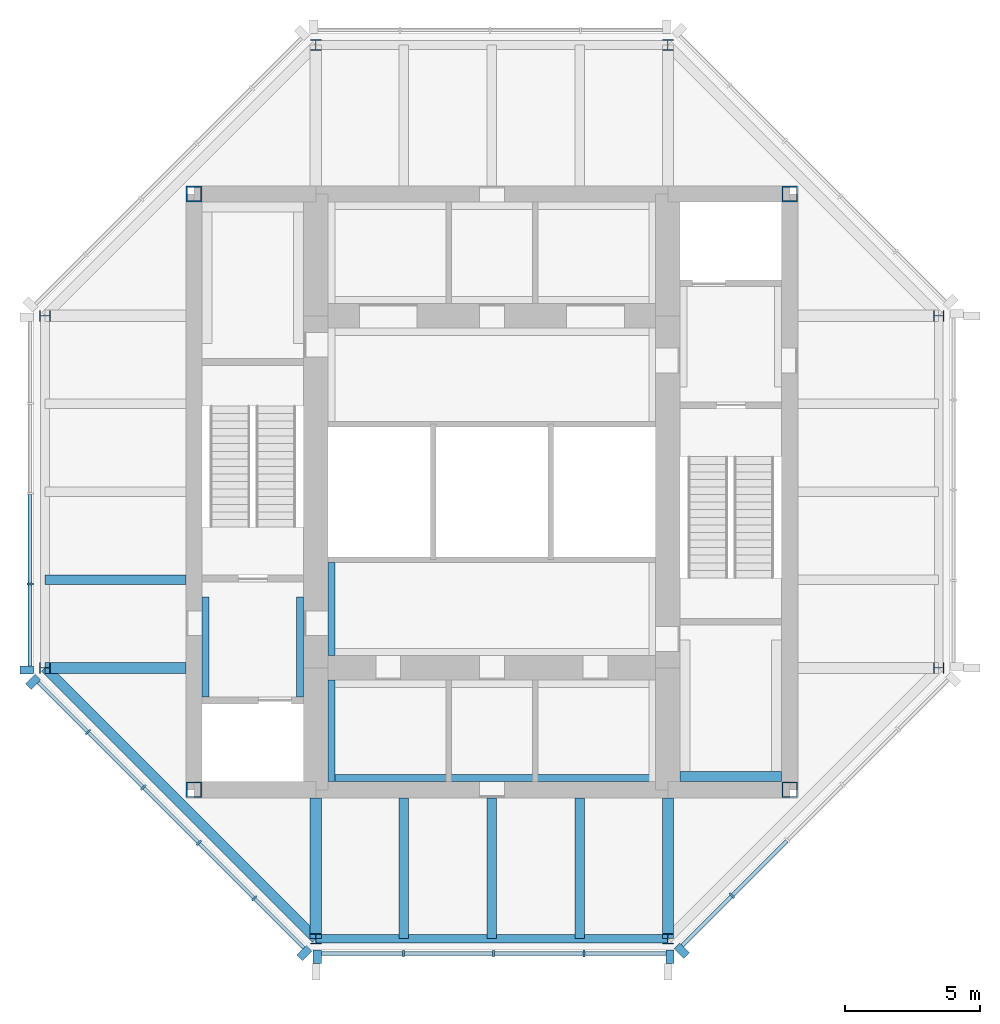
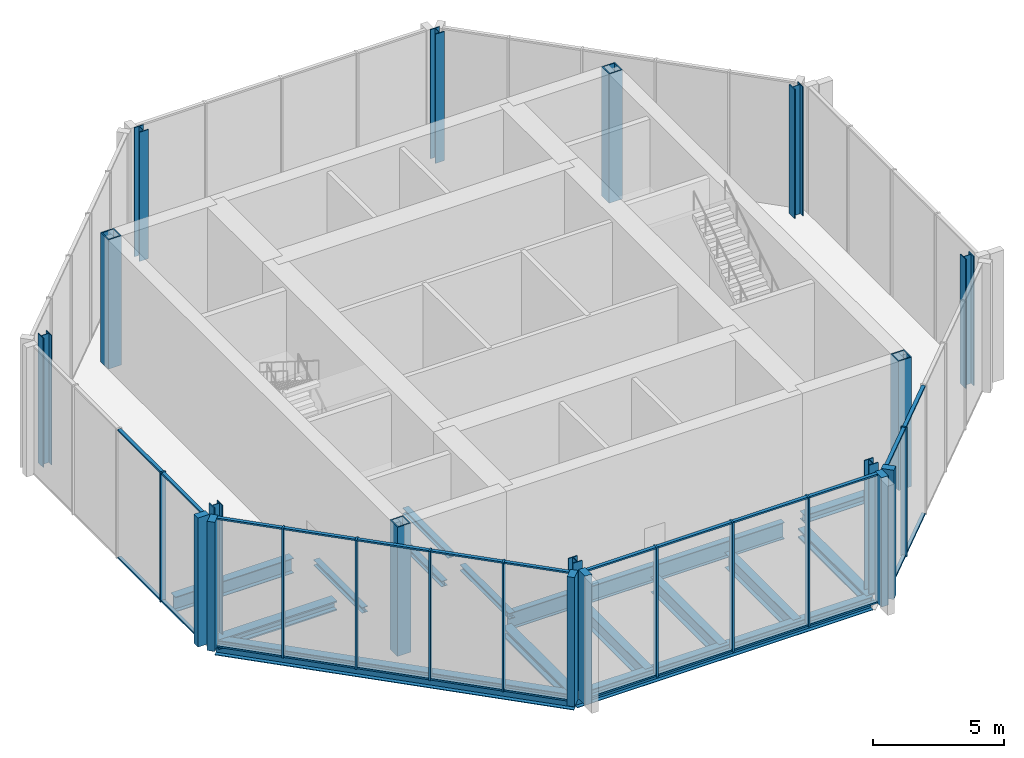
# One storey, part 1 of 6: 41 members, 15 beams, 12 columns, 4 elements without a shape of their own.
"""IFC4 building model written with IfcOpenShell, lengths in metres."""

from ifc_helpers import new_model, si_unit, direction, frame, origin, origin_2d, place, context, subcontext, project, spatial, rectangle, hollow_rectangle, i_section, extrude, material, material_profile, profile_set, type_object, element, aggregate, save


model = new_model("IFC4")

# Units and contexts
model_context = context("Model", 3, precision=1e-05, world=origin(), true_north=direction((0.0, 1.0)))
body_context = subcontext(model_context, "Body", "Model", "MODEL_VIEW")
ifc_project = project(units=[si_unit("LENGTHUNIT", "METRE"), si_unit("AREAUNIT", "SQUARE_METRE"), si_unit("VOLUMEUNIT", "CUBIC_METRE"), si_unit("PLANEANGLEUNIT", "RADIAN"), si_unit("MASSUNIT", "GRAM", prefix="KILO")], contexts=[model_context])

# Site, building, storey
site_placement = place(None, origin())
site = spatial("IfcSite", under=ifc_project, at=site_placement, CompositionType="ELEMENT")
building_placement = place(site_placement, origin())
building = spatial("IfcBuilding", under=site, at=building_placement, Name="Trevanion Tower", CompositionType="ELEMENT")
storey_placement = place(building_placement, frame((0.0, 0.0, 304.199951171875)))
storey = spatial("IfcBuildingStorey", under=building, at=storey_placement, Name="L75", CompositionType="ELEMENT", Elevation=304.199951171875)

# Columns
ifc_material_1 = material(Name="Steel ASTM A913 Grade 65", Category="steel")
ifc_material_profile_1 = material_profile(ifc_material_1, i_section(OverallWidth=0.4013671875, OverallDepth=0.398681640625, WebThickness=0.02490234375, FlangeThickness=0.03955078125, at=origin_2d()), Name="W14X211")
ifc_profile_set_1 = profile_set([ifc_material_profile_1], Name="Steel ASTM A913 Grade 65")
column_type_1 = type_object("IfcColumnType", Name="C6 W14X211", PredefinedType="COLUMN", material=ifc_profile_set_1)
for number, where, z_axis, x_axis, name in (
    (1, (-16.5, -6.5, 0.0), (0.0, 0.0, 1.0), (0.0, 1.0, 0.0), "C6 7/G L75"),
    (2, (-6.5, -16.5, 0.0), (0.0, 0.0, 1.0), (1.0, 0.0, 0.0), "C6 9/E L75"),
    (3, (6.5, -16.5, 0.0), (0.0, 0.0, 1.0), (1.0, 0.0, 0.0), "C6 11/E L75"),
    (4, (16.5, -6.5, 0.0), (0.0, 0.0, 1.0), (0.0, 1.0, 0.0), "C6 13/G L75"),
    (5, (16.5, 6.5, 0.0), (0.0, 0.0, 1.0), (0.0, 1.0, 0.0), "C6 13/J L75"),
    (6, (6.5, 16.5, 0.0), (0.0, 0.0, 1.0), (1.0, 0.0, 0.0), "C6 11/L L75"),
    (7, (-6.5, 16.5, 0.0), (0.0, 0.0, 1.0), (1.0, 0.0, 0.0), "C6 9/L L75"),
    (8, (-16.5, 6.5, 0.0), (0.0, 0.0, 1.0), (0.0, 1.0, 0.0), "C6 7/J L75"),
):
    element("IfcColumn", number, at=place(storey_placement, frame(where, z_axis=z_axis, x_axis=x_axis)), inside=storey, type_object=column_type_1, Name=name, PredefinedType="COLUMN", context=body_context, shape_type="SweptSolid", body=[
        extrude(i_section(OverallWidth=0.4013671875, OverallDepth=0.398681640625, WebThickness=0.02490234375, FlangeThickness=0.03955078125, at=origin_2d()), origin(), (0.0, 0.0, 1.0), 6.0),
    ])
ifc_material_2 = material(Name="Steel ASTM A572 Grade 50", Category="steel")
ifc_material_profile_2 = material_profile(ifc_material_2, hollow_rectangle(XDim=0.584228515625, YDim=0.584228515625, WallThickness=0.05078125, at=origin_2d()), Name="BOX23X23X2")
ifc_profile_set_2 = profile_set([ifc_material_profile_2], Name="Steel ASTM A572 Grade 50")
column_type_2 = type_object("IfcColumnType", Name="CB1 BOX23X23X2", PredefinedType="COLUMN", material=ifc_profile_set_2)
for number, where, z_axis, x_axis, name in (
    (9, (11.0, 11.0, 0.0), (0.0, 0.0, 1.0), (1.0, 0.0, 0.0), "CB1 NE L75"),
    (10, (-11.0, 11.0, 0.0), (0.0, 0.0, 1.0), (1.0, 0.0, 0.0), "CB1 NW L75"),
    (11, (-11.0, -11.0, 0.0), (0.0, 0.0, 1.0), (1.0, 0.0, 0.0), "CB1 SW L75"),
    (12, (11.0, -11.0, 0.0), (0.0, 0.0, 1.0), (1.0, 0.0, 0.0), "CB1 SE L75"),
):
    element("IfcColumn", number, at=place(storey_placement, frame(where, z_axis=z_axis, x_axis=x_axis)), inside=storey, type_object=column_type_2, Name=name, PredefinedType="COLUMN", context=body_context, shape_type="SweptSolid", body=[
        extrude(hollow_rectangle(XDim=0.584228515625, YDim=0.584228515625, WallThickness=0.05078125, at=origin_2d()), origin(), (0.0, 0.0, 1.0), 6.0),
    ])

# Beams
ifc_material_3 = material(Name="Steel ASTM A992 Grade 50", Category="steel")
ifc_material_profile_3 = material_profile(ifc_material_3, i_section(OverallWidth=0.355712890625, OverallDepth=0.700927734375, WebThickness=0.016845703125, FlangeThickness=0.02734375, at=origin_2d()), Name="W27X161")
ifc_profile_set_3 = profile_set([ifc_material_profile_3], Name="Steel ASTM A992 Grade 50")
beam_type_1 = type_object("IfcBeamType", Name="B15 W27X161", PredefinedType="BEAM", material=ifc_profile_set_3)
for number, where, z_axis, x_axis, name in (
    (13, (-11.300048828125, -3.25, -0.54052734375), (-1.0, 0.0, 0.0), (0.0, -1.0, 0.0), "B15 L75"),
    (14, (-3.25, -11.300048828125, -0.54052734375), (0.0, -1.0, 0.0), (1.0, 0.0, 0.0), "B15 L75"),
    (15, (0.0, -11.300048828125, -0.54052734375), (0.0, -1.0, 0.0), (1.0, 0.0, 0.0), "B15 L75"),
    (16, (3.25, -11.300048828125, -0.54052734375), (0.0, -1.0, 0.0), (1.0, 0.0, 0.0), "B15 L75"),
):
    element("IfcBeam", number, at=place(storey_placement, frame(where, z_axis=z_axis, x_axis=x_axis)), inside=storey, type_object=beam_type_1, Name=name, PredefinedType="BEAM", context=body_context, shape_type="SweptSolid", body=[
        extrude(i_section(OverallWidth=0.355712890625, OverallDepth=0.700927734375, WebThickness=0.016845703125, FlangeThickness=0.02734375, at=origin_2d()), origin(), (0.0, 0.0, 1.0), 5.199951171875),
    ])

# Curtain wall, member
ifc_material_4 = material(Name="Aluminium louvres", Category="aluminium")
curtain_wall_type = type_object("IfcCurtainWallType", Name="CWL curtain wall", PredefinedType="USERDEFINED", material=ifc_material_4)
curtain_wall_1_placement = place(storey_placement, origin())
curtain_wall_1 = element("IfcCurtainWall", 17, at=curtain_wall_1_placement, inside=storey, type_object=curtain_wall_type, Name="CWL L75 4", ObjectType="LOUVRE SCREEN", PredefinedType="USERDEFINED")
ifc_material_5 = material(Name="Aluminium extrusion, anodised bronze", Category="aluminium")
ifc_material_profile_4 = material_profile(ifc_material_5, rectangle(XDim=0.074951171875, YDim=0.25, at=origin_2d()), Name="CWL mullion")
ifc_profile_set_4 = profile_set([ifc_material_profile_4], Name="Aluminium extrusion, anodised bronze")
member_type_1 = type_object("IfcMemberType", Name="CWL mullion", PredefinedType="MULLION", material=ifc_profile_set_4)
member_1_placement = place(storey_placement, frame((-17.050048828125, -3.396484375, -0.18994140625), z_axis=(0.0, 0.0, 1.0), x_axis=(0.0, -1.0, 0.0)))
member_1 = element("IfcMember", 18, at=member_1_placement, type_object=member_type_1, Name="CWL mullion 4", PredefinedType="MULLION", context=body_context, shape_type="SweptSolid", body=[
    extrude(rectangle(XDim=0.074951171875, YDim=0.25, at=origin_2d()), origin(), (0.0, 0.0, 1.0), 6.0),
])

# Curtain wall, members
curtain_wall_2_placement = place(storey_placement, origin())
curtain_wall_2 = element("IfcCurtainWall", 19, at=curtain_wall_2_placement, inside=storey, type_object=curtain_wall_type, Name="CWL L75 5", ObjectType="LOUVRE SCREEN", PredefinedType="USERDEFINED")
member_2_placement = place(storey_placement, frame((-14.912109375, -8.86572265625, -0.18994140625), z_axis=(0.0, 0.0, 1.0), x_axis=(0.707106781187, -0.707106781187, 0.0)))
member_2 = element("IfcMember", 20, at=member_2_placement, type_object=member_type_1, Name="CWL mullion 2", PredefinedType="MULLION", context=body_context, shape_type="SweptSolid", body=[
    extrude(rectangle(XDim=0.074951171875, YDim=0.25, at=origin_2d()), origin(), (0.0, 0.0, 1.0), 6.0),
])
member_3_placement = place(storey_placement, frame((-12.865966796875, -10.911865234375, -0.18994140625), z_axis=(0.0, 0.0, 1.0), x_axis=(0.707106781187, -0.707106781187, 0.0)))
member_3 = element("IfcMember", 21, at=member_3_placement, type_object=member_type_1, Name="CWL mullion 3", PredefinedType="MULLION", context=body_context, shape_type="SweptSolid", body=[
    extrude(rectangle(XDim=0.074951171875, YDim=0.25, at=origin_2d()), origin(), (0.0, 0.0, 1.0), 6.0),
])
member_4_placement = place(storey_placement, frame((-10.81982421875, -12.9580078125, -0.18994140625), z_axis=(0.0, 0.0, 1.0), x_axis=(0.707106781187, -0.707106781187, 0.0)))
member_4 = element("IfcMember", 22, at=member_4_placement, type_object=member_type_1, Name="CWL mullion 4", PredefinedType="MULLION", context=body_context, shape_type="SweptSolid", body=[
    extrude(rectangle(XDim=0.074951171875, YDim=0.25, at=origin_2d()), origin(), (0.0, 0.0, 1.0), 6.0),
])
member_5_placement = place(storey_placement, frame((-8.77392578125, -15.00390625, -0.18994140625), z_axis=(0.0, 0.0, 1.0), x_axis=(0.707106781187, -0.707106781187, 0.0)))
member_5 = element("IfcMember", 23, at=member_5_placement, type_object=member_type_1, Name="CWL mullion 5", PredefinedType="MULLION", context=body_context, shape_type="SweptSolid", body=[
    extrude(rectangle(XDim=0.074951171875, YDim=0.25, at=origin_2d()), origin(), (0.0, 0.0, 1.0), 6.0),
])

curtain_wall_3_placement = place(storey_placement, origin())
curtain_wall_3 = element("IfcCurtainWall", 24, at=curtain_wall_3_placement, inside=storey, type_object=curtain_wall_type, Name="CWL L75 6", ObjectType="LOUVRE SCREEN", PredefinedType="USERDEFINED")
member_6_placement = place(storey_placement, frame((-3.266357421875, -17.050048828125, -0.18994140625), z_axis=(0.0, 0.0, 1.0), x_axis=(1.0, 0.0, 0.0)))
member_6 = element("IfcMember", 25, at=member_6_placement, type_object=member_type_1, Name="CWL mullion 2", PredefinedType="MULLION", context=body_context, shape_type="SweptSolid", body=[
    extrude(rectangle(XDim=0.074951171875, YDim=0.25, at=origin_2d()), origin(), (0.0, 0.0, 1.0), 6.0),
])
member_7_placement = place(storey_placement, frame((0.06494140625, -17.050048828125, -0.18994140625), z_axis=(0.0, 0.0, 1.0), x_axis=(1.0, 0.0, 0.0)))
member_7 = element("IfcMember", 26, at=member_7_placement, type_object=member_type_1, Name="CWL mullion 3", PredefinedType="MULLION", context=body_context, shape_type="SweptSolid", body=[
    extrude(rectangle(XDim=0.074951171875, YDim=0.25, at=origin_2d()), origin(), (0.0, 0.0, 1.0), 6.0),
])
member_8_placement = place(storey_placement, frame((3.396484375, -17.050048828125, -0.18994140625), z_axis=(0.0, 0.0, 1.0), x_axis=(1.0, 0.0, 0.0)))
member_8 = element("IfcMember", 27, at=member_8_placement, type_object=member_type_1, Name="CWL mullion 4", PredefinedType="MULLION", context=body_context, shape_type="SweptSolid", body=[
    extrude(rectangle(XDim=0.074951171875, YDim=0.25, at=origin_2d()), origin(), (0.0, 0.0, 1.0), 6.0),
])

# Curtain wall, member
curtain_wall_4_placement = place(storey_placement, origin())
curtain_wall_4 = element("IfcCurtainWall", 28, at=curtain_wall_4_placement, inside=storey, type_object=curtain_wall_type, Name="CWL L75 7", ObjectType="LOUVRE SCREEN", PredefinedType="USERDEFINED")
member_9_placement = place(storey_placement, frame((8.86572265625, -14.912109375, -0.18994140625), z_axis=(0.0, 0.0, 1.0), x_axis=(0.707106781187, 0.707106781187, 0.0)))
member_9 = element("IfcMember", 29, at=member_9_placement, type_object=member_type_1, Name="CWL mullion 2", PredefinedType="MULLION", context=body_context, shape_type="SweptSolid", body=[
    extrude(rectangle(XDim=0.074951171875, YDim=0.25, at=origin_2d()), origin(), (0.0, 0.0, 1.0), 6.0),
])

# Member
ifc_material_6 = material(Name="Aluminium extrusion, anodised bronze", Category="aluminium")
ifc_material_profile_5 = material_profile(ifc_material_6, rectangle(XDim=0.300048828125, YDim=0.5, at=origin_2d()), Name="CWL pier mullion")
ifc_profile_set_5 = profile_set([ifc_material_profile_5], Name="Aluminium extrusion, anodised bronze")
member_type_2 = type_object("IfcMemberType", Name="CWL pier mullion", PredefinedType="MULLION", material=ifc_profile_set_5)
member_10_placement = place(storey_placement, frame((-17.175048828125, -6.577880859375, -0.18994140625), z_axis=(0.0, 0.0, 1.0), x_axis=(0.0, -1.0, 0.0)))
member_10 = element("IfcMember", 30, at=member_10_placement, type_object=member_type_2, Name="CWL pier mullion 5", PredefinedType="MULLION", context=body_context, shape_type="SweptSolid", body=[
    extrude(rectangle(XDim=0.300048828125, YDim=0.5, at=origin_2d()), origin(), (0.0, 0.0, 1.0), 6.0),
])

member_11_placement = place(storey_placement, frame((-16.9404296875, -7.01416015625, -0.18994140625), z_axis=(0.0, 0.0, 1.0), x_axis=(0.707106781187, -0.707106781187, 0.0)))
member_11 = element("IfcMember", 31, at=member_11_placement, type_object=member_type_2, Name="CWL pier mullion 1", PredefinedType="MULLION", context=body_context, shape_type="SweptSolid", body=[
    extrude(rectangle(XDim=0.300048828125, YDim=0.5, at=origin_2d()), origin(), (0.0, 0.0, 1.0), 6.0),
])

member_12_placement = place(storey_placement, frame((-6.92236328125, -17.0322265625, -0.18994140625), z_axis=(0.0, 0.0, 1.0), x_axis=(0.707106781187, -0.707106781187, 0.0)))
member_12 = element("IfcMember", 32, at=member_12_placement, type_object=member_type_2, Name="CWL pier mullion 6", PredefinedType="MULLION", context=body_context, shape_type="SweptSolid", body=[
    extrude(rectangle(XDim=0.300048828125, YDim=0.5, at=origin_2d()), origin(), (0.0, 0.0, 1.0), 6.0),
])

member_13_placement = place(storey_placement, frame((-6.44775390625, -17.175048828125, -0.18994140625), z_axis=(0.0, 0.0, 1.0), x_axis=(1.0, 0.0, 0.0)))
member_13 = element("IfcMember", 33, at=member_13_placement, type_object=member_type_2, Name="CWL pier mullion 1", PredefinedType="MULLION", context=body_context, shape_type="SweptSolid", body=[
    extrude(rectangle(XDim=0.300048828125, YDim=0.5, at=origin_2d()), origin(), (0.0, 0.0, 1.0), 6.0),
])

member_14_placement = place(storey_placement, frame((6.577880859375, -17.175048828125, -0.18994140625), z_axis=(0.0, 0.0, 1.0), x_axis=(1.0, 0.0, 0.0)))
member_14 = element("IfcMember", 34, at=member_14_placement, type_object=member_type_2, Name="CWL pier mullion 5", PredefinedType="MULLION", context=body_context, shape_type="SweptSolid", body=[
    extrude(rectangle(XDim=0.300048828125, YDim=0.5, at=origin_2d()), origin(), (0.0, 0.0, 1.0), 6.0),
])

member_15_placement = place(storey_placement, frame((7.01416015625, -16.9404296875, -0.18994140625), z_axis=(0.0, 0.0, 1.0), x_axis=(0.707106781187, 0.707106781187, 0.0)))
member_15 = element("IfcMember", 35, at=member_15_placement, type_object=member_type_2, Name="CWL pier mullion 1", PredefinedType="MULLION", context=body_context, shape_type="SweptSolid", body=[
    extrude(rectangle(XDim=0.300048828125, YDim=0.5, at=origin_2d()), origin(), (0.0, 0.0, 1.0), 6.0),
])

ifc_material_7 = material(Name="Aluminium extrusion, anodised bronze", Category="aluminium")
ifc_material_profile_6 = material_profile(ifc_material_7, rectangle(XDim=0.14990234375, YDim=0.074951171875, at=origin_2d()), Name="CWL transom")
ifc_profile_set_6 = profile_set([ifc_material_profile_6], Name="Aluminium extrusion, anodised bronze")
member_type_3 = type_object("IfcMemberType", Name="CWL transom", PredefinedType="USERDEFINED", material=ifc_profile_set_6)
member_16_placement = place(storey_placement, frame((-17.050048828125, -0.1025390625, -0.15234375), z_axis=(0.0, -1.0, 0.0), x_axis=(1.0, 0.0, 0.0)))
member_16 = element("IfcMember", 36, at=member_16_placement, type_object=member_type_3, Name="CWL transom 3.1", ObjectType="TRANSOM", PredefinedType="USERDEFINED", context=body_context, shape_type="SweptSolid", body=[
    extrude(rectangle(XDim=0.14990234375, YDim=0.074951171875, at=origin_2d()), origin(), (0.0, 0.0, 1.0), 3.25634765625),
])

member_17_placement = place(storey_placement, frame((-17.050048828125, -0.1025390625, 5.7724609375), z_axis=(0.0, -1.0, 0.0), x_axis=(1.0, 0.0, 0.0)))
member_17 = element("IfcMember", 37, at=member_17_placement, type_object=member_type_3, Name="CWL transom 3.2", ObjectType="TRANSOM", PredefinedType="USERDEFINED", context=body_context, shape_type="SweptSolid", body=[
    extrude(rectangle(XDim=0.14990234375, YDim=0.074951171875, at=origin_2d()), origin(), (0.0, 0.0, 1.0), 3.25634765625),
])

member_18_placement = place(storey_placement, frame((-17.050048828125, -3.433837890625, -0.15234375), z_axis=(0.0, -1.0, 0.0), x_axis=(1.0, 0.0, 0.0)))
member_18 = element("IfcMember", 38, at=member_18_placement, type_object=member_type_3, Name="CWL transom 4.1", ObjectType="TRANSOM", PredefinedType="USERDEFINED", context=body_context, shape_type="SweptSolid", body=[
    extrude(rectangle(XDim=0.14990234375, YDim=0.074951171875, at=origin_2d()), origin(), (0.0, 0.0, 1.0), 2.993896484375),
])

member_19_placement = place(storey_placement, frame((-17.050048828125, -3.433837890625, 5.7724609375), z_axis=(0.0, -1.0, 0.0), x_axis=(1.0, 0.0, 0.0)))
member_19 = element("IfcMember", 39, at=member_19_placement, type_object=member_type_3, Name="CWL transom 4.2", ObjectType="TRANSOM", PredefinedType="USERDEFINED", context=body_context, shape_type="SweptSolid", body=[
    extrude(rectangle(XDim=0.14990234375, YDim=0.074951171875, at=origin_2d()), origin(), (0.0, 0.0, 1.0), 2.993896484375),
])

aggregate(curtain_wall_1, [member_1, member_10, member_16, member_17, member_18, member_19])

member_20_placement = place(storey_placement, frame((-16.745849609375, -7.031982421875, -0.15234375), z_axis=(0.707106781187, -0.707106781187, 0.0), x_axis=(0.707106781187, 0.707106781187, 0.0)))
member_20 = element("IfcMember", 40, at=member_20_placement, type_object=member_type_3, Name="CWL transom 1.1", ObjectType="TRANSOM", PredefinedType="USERDEFINED", context=body_context, shape_type="SweptSolid", body=[
    extrude(rectangle(XDim=0.14990234375, YDim=0.074951171875, at=origin_2d()), origin(), (0.0, 0.0, 1.0), 2.555908203125),
])

member_21_placement = place(storey_placement, frame((-16.745849609375, -7.031982421875, 5.7724609375), z_axis=(0.707106781187, -0.707106781187, 0.0), x_axis=(0.707106781187, 0.707106781187, 0.0)))
member_21 = element("IfcMember", 41, at=member_21_placement, type_object=member_type_3, Name="CWL transom 1.2", ObjectType="TRANSOM", PredefinedType="USERDEFINED", context=body_context, shape_type="SweptSolid", body=[
    extrude(rectangle(XDim=0.14990234375, YDim=0.074951171875, at=origin_2d()), origin(), (0.0, 0.0, 1.0), 2.555908203125),
])

member_22_placement = place(storey_placement, frame((-14.885498046875, -8.892333984375, -0.15234375), z_axis=(0.707106781187, -0.707106781187, 0.0), x_axis=(0.707106781187, 0.707106781187, 0.0)))
member_22 = element("IfcMember", 42, at=member_22_placement, type_object=member_type_3, Name="CWL transom 2.1", ObjectType="TRANSOM", PredefinedType="USERDEFINED", context=body_context, shape_type="SweptSolid", body=[
    extrude(rectangle(XDim=0.14990234375, YDim=0.074951171875, at=origin_2d()), origin(), (0.0, 0.0, 1.0), 2.818359375),
])

member_23_placement = place(storey_placement, frame((-14.885498046875, -8.892333984375, 5.7724609375), z_axis=(0.707106781187, -0.707106781187, 0.0), x_axis=(0.707106781187, 0.707106781187, 0.0)))
member_23 = element("IfcMember", 43, at=member_23_placement, type_object=member_type_3, Name="CWL transom 2.2", ObjectType="TRANSOM", PredefinedType="USERDEFINED", context=body_context, shape_type="SweptSolid", body=[
    extrude(rectangle(XDim=0.14990234375, YDim=0.074951171875, at=origin_2d()), origin(), (0.0, 0.0, 1.0), 2.818359375),
])

member_24_placement = place(storey_placement, frame((-12.839599609375, -10.9384765625, -0.15234375), z_axis=(0.707150088905, -0.707063470815, 0.0), x_axis=(0.707063470815, 0.707150088905, 0.0)))
member_24 = element("IfcMember", 44, at=member_24_placement, type_object=member_type_3, Name="CWL transom 3.1", ObjectType="TRANSOM", PredefinedType="USERDEFINED", context=body_context, shape_type="SweptSolid", body=[
    extrude(rectangle(XDim=0.14990234375, YDim=0.074951171875, at=origin_2d()), origin(), (0.0, 0.0, 1.0), 2.818603515625),
])

member_25_placement = place(storey_placement, frame((-12.839599609375, -10.9384765625, 5.7724609375), z_axis=(0.707150088905, -0.707063470815, 0.0), x_axis=(0.707063470815, 0.707150088905, 0.0)))
member_25 = element("IfcMember", 45, at=member_25_placement, type_object=member_type_3, Name="CWL transom 3.2", ObjectType="TRANSOM", PredefinedType="USERDEFINED", context=body_context, shape_type="SweptSolid", body=[
    extrude(rectangle(XDim=0.14990234375, YDim=0.074951171875, at=origin_2d()), origin(), (0.0, 0.0, 1.0), 2.818603515625),
])

member_26_placement = place(storey_placement, frame((-10.79345703125, -12.984375, -0.15234375), z_axis=(0.707150088905, -0.707063470815, 0.0), x_axis=(0.707063470815, 0.707150088905, 0.0)))
member_26 = element("IfcMember", 46, at=member_26_placement, type_object=member_type_3, Name="CWL transom 4.1", ObjectType="TRANSOM", PredefinedType="USERDEFINED", context=body_context, shape_type="SweptSolid", body=[
    extrude(rectangle(XDim=0.14990234375, YDim=0.074951171875, at=origin_2d()), origin(), (0.0, 0.0, 1.0), 2.818603515625),
])

member_27_placement = place(storey_placement, frame((-10.79345703125, -12.984375, 5.7724609375), z_axis=(0.707150088905, -0.707063470815, 0.0), x_axis=(0.707063470815, 0.707150088905, 0.0)))
member_27 = element("IfcMember", 47, at=member_27_placement, type_object=member_type_3, Name="CWL transom 4.2", ObjectType="TRANSOM", PredefinedType="USERDEFINED", context=body_context, shape_type="SweptSolid", body=[
    extrude(rectangle(XDim=0.14990234375, YDim=0.074951171875, at=origin_2d()), origin(), (0.0, 0.0, 1.0), 2.818603515625),
])

member_28_placement = place(storey_placement, frame((-8.747314453125, -15.030517578125, -0.15234375), z_axis=(0.707106781187, -0.707106781187, 0.0), x_axis=(0.707106781187, 0.707106781187, 0.0)))
member_28 = element("IfcMember", 48, at=member_28_placement, type_object=member_type_3, Name="CWL transom 5.1", ObjectType="TRANSOM", PredefinedType="USERDEFINED", context=body_context, shape_type="SweptSolid", body=[
    extrude(rectangle(XDim=0.14990234375, YDim=0.074951171875, at=origin_2d()), origin(), (0.0, 0.0, 1.0), 2.555908203125),
])

member_29_placement = place(storey_placement, frame((-8.747314453125, -15.030517578125, 5.7724609375), z_axis=(0.707106781187, -0.707106781187, 0.0), x_axis=(0.707106781187, 0.707106781187, 0.0)))
member_29 = element("IfcMember", 49, at=member_29_placement, type_object=member_type_3, Name="CWL transom 5.2", ObjectType="TRANSOM", PredefinedType="USERDEFINED", context=body_context, shape_type="SweptSolid", body=[
    extrude(rectangle(XDim=0.14990234375, YDim=0.074951171875, at=origin_2d()), origin(), (0.0, 0.0, 1.0), 2.555908203125),
])

aggregate(curtain_wall_2, [member_11, member_2, member_3, member_4, member_5, member_12, member_20, member_21, member_22, member_23, member_24, member_25, member_26, member_27, member_28, member_29])

member_30_placement = place(storey_placement, frame((-6.2978515625, -17.050048828125, -0.15234375), z_axis=(1.0, 0.0, 0.0), x_axis=(0.0, 1.0, 0.0)))
member_30 = element("IfcMember", 50, at=member_30_placement, type_object=member_type_3, Name="CWL transom 1.1", ObjectType="TRANSOM", PredefinedType="USERDEFINED", context=body_context, shape_type="SweptSolid", body=[
    extrude(rectangle(XDim=0.14990234375, YDim=0.074951171875, at=origin_2d()), origin(), (0.0, 0.0, 1.0), 2.993896484375),
])

member_31_placement = place(storey_placement, frame((-6.2978515625, -17.050048828125, 5.7724609375), z_axis=(1.0, 0.0, 0.0), x_axis=(0.0, 1.0, 0.0)))
member_31 = element("IfcMember", 51, at=member_31_placement, type_object=member_type_3, Name="CWL transom 1.2", ObjectType="TRANSOM", PredefinedType="USERDEFINED", context=body_context, shape_type="SweptSolid", body=[
    extrude(rectangle(XDim=0.14990234375, YDim=0.074951171875, at=origin_2d()), origin(), (0.0, 0.0, 1.0), 2.993896484375),
])

member_32_placement = place(storey_placement, frame((-3.22900390625, -17.050048828125, -0.15234375), z_axis=(1.0, 0.0, 0.0), x_axis=(0.0, 1.0, 0.0)))
member_32 = element("IfcMember", 52, at=member_32_placement, type_object=member_type_3, Name="CWL transom 2.1", ObjectType="TRANSOM", PredefinedType="USERDEFINED", context=body_context, shape_type="SweptSolid", body=[
    extrude(rectangle(XDim=0.14990234375, YDim=0.074951171875, at=origin_2d()), origin(), (0.0, 0.0, 1.0), 3.256591796875),
])

member_33_placement = place(storey_placement, frame((-3.22900390625, -17.050048828125, 5.7724609375), z_axis=(1.0, 0.0, 0.0), x_axis=(0.0, 1.0, 0.0)))
member_33 = element("IfcMember", 53, at=member_33_placement, type_object=member_type_3, Name="CWL transom 2.2", ObjectType="TRANSOM", PredefinedType="USERDEFINED", context=body_context, shape_type="SweptSolid", body=[
    extrude(rectangle(XDim=0.14990234375, YDim=0.074951171875, at=origin_2d()), origin(), (0.0, 0.0, 1.0), 3.256591796875),
])

member_34_placement = place(storey_placement, frame((0.1025390625, -17.050048828125, -0.15234375), z_axis=(1.0, 0.0, 0.0), x_axis=(0.0, 1.0, 0.0)))
member_34 = element("IfcMember", 54, at=member_34_placement, type_object=member_type_3, Name="CWL transom 3.1", ObjectType="TRANSOM", PredefinedType="USERDEFINED", context=body_context, shape_type="SweptSolid", body=[
    extrude(rectangle(XDim=0.14990234375, YDim=0.074951171875, at=origin_2d()), origin(), (0.0, 0.0, 1.0), 3.25634765625),
])

member_35_placement = place(storey_placement, frame((0.1025390625, -17.050048828125, 5.7724609375), z_axis=(1.0, 0.0, 0.0), x_axis=(0.0, 1.0, 0.0)))
member_35 = element("IfcMember", 55, at=member_35_placement, type_object=member_type_3, Name="CWL transom 3.2", ObjectType="TRANSOM", PredefinedType="USERDEFINED", context=body_context, shape_type="SweptSolid", body=[
    extrude(rectangle(XDim=0.14990234375, YDim=0.074951171875, at=origin_2d()), origin(), (0.0, 0.0, 1.0), 3.25634765625),
])

member_36_placement = place(storey_placement, frame((3.433837890625, -17.050048828125, -0.15234375), z_axis=(1.0, 0.0, 0.0), x_axis=(0.0, 1.0, 0.0)))
member_36 = element("IfcMember", 56, at=member_36_placement, type_object=member_type_3, Name="CWL transom 4.1", ObjectType="TRANSOM", PredefinedType="USERDEFINED", context=body_context, shape_type="SweptSolid", body=[
    extrude(rectangle(XDim=0.14990234375, YDim=0.074951171875, at=origin_2d()), origin(), (0.0, 0.0, 1.0), 2.993896484375),
])

member_37_placement = place(storey_placement, frame((3.433837890625, -17.050048828125, 5.7724609375), z_axis=(1.0, 0.0, 0.0), x_axis=(0.0, 1.0, 0.0)))
member_37 = element("IfcMember", 57, at=member_37_placement, type_object=member_type_3, Name="CWL transom 4.2", ObjectType="TRANSOM", PredefinedType="USERDEFINED", context=body_context, shape_type="SweptSolid", body=[
    extrude(rectangle(XDim=0.14990234375, YDim=0.074951171875, at=origin_2d()), origin(), (0.0, 0.0, 1.0), 2.993896484375),
])

aggregate(curtain_wall_3, [member_13, member_6, member_7, member_8, member_14, member_30, member_31, member_32, member_33, member_34, member_35, member_36, member_37])

member_38_placement = place(storey_placement, frame((7.031982421875, -16.745849609375, -0.15234375), z_axis=(0.707106781187, 0.707106781187, 0.0), x_axis=(-0.707106781187, 0.707106781187, 0.0)))
member_38 = element("IfcMember", 58, at=member_38_placement, type_object=member_type_3, Name="CWL transom 1.1", ObjectType="TRANSOM", PredefinedType="USERDEFINED", context=body_context, shape_type="SweptSolid", body=[
    extrude(rectangle(XDim=0.14990234375, YDim=0.074951171875, at=origin_2d()), origin(), (0.0, 0.0, 1.0), 2.555908203125),
])

member_39_placement = place(storey_placement, frame((7.031982421875, -16.745849609375, 5.7724609375), z_axis=(0.707106781187, 0.707106781187, 0.0), x_axis=(-0.707106781187, 0.707106781187, 0.0)))
member_39 = element("IfcMember", 59, at=member_39_placement, type_object=member_type_3, Name="CWL transom 1.2", ObjectType="TRANSOM", PredefinedType="USERDEFINED", context=body_context, shape_type="SweptSolid", body=[
    extrude(rectangle(XDim=0.14990234375, YDim=0.074951171875, at=origin_2d()), origin(), (0.0, 0.0, 1.0), 2.555908203125),
])

member_40_placement = place(storey_placement, frame((8.892333984375, -14.885498046875, -0.15234375), z_axis=(0.707106781187, 0.707106781187, 0.0), x_axis=(-0.707106781187, 0.707106781187, 0.0)))
member_40 = element("IfcMember", 60, at=member_40_placement, type_object=member_type_3, Name="CWL transom 2.1", ObjectType="TRANSOM", PredefinedType="USERDEFINED", context=body_context, shape_type="SweptSolid", body=[
    extrude(rectangle(XDim=0.14990234375, YDim=0.074951171875, at=origin_2d()), origin(), (0.0, 0.0, 1.0), 2.818359375),
])

member_41_placement = place(storey_placement, frame((8.892333984375, -14.885498046875, 5.7724609375), z_axis=(0.707106781187, 0.707106781187, 0.0), x_axis=(-0.707106781187, 0.707106781187, 0.0)))
member_41 = element("IfcMember", 61, at=member_41_placement, type_object=member_type_3, Name="CWL transom 2.2", ObjectType="TRANSOM", PredefinedType="USERDEFINED", context=body_context, shape_type="SweptSolid", body=[
    extrude(rectangle(XDim=0.14990234375, YDim=0.074951171875, at=origin_2d()), origin(), (0.0, 0.0, 1.0), 2.818359375),
])

aggregate(curtain_wall_4, [member_15, member_9, member_38, member_39, member_40, member_41])

# Beams
ifc_material_8 = material(Name="Steel ASTM A992 Grade 50", Category="steel")
ifc_material_profile_7 = material_profile(ifc_material_8, i_section(OverallWidth=0.41650390625, OverallDepth=0.444580078125, WebThickness=0.0390625, FlangeThickness=0.062744140625, at=origin_2d()), Name="W14X342")
ifc_profile_set_7 = profile_set([ifc_material_profile_7], Name="Steel ASTM A992 Grade 50")
beam_type_2 = type_object("IfcBeamType", Name="G8 W14X342", PredefinedType="BEAM", material=ifc_profile_set_7)
for number, where, z_axis, x_axis, name in (
    (62, (-11.300048828125, -6.5, -0.412109375), (-1.0, 0.0, 0.0), (0.0, -1.0, 0.0), "G8 L75"),
    (63, (-6.5, -11.300048828125, -0.412109375), (0.0, -1.0, 0.0), (1.0, 0.0, 0.0), "G8 L75"),
    (64, (6.5, -11.300048828125, -0.412109375), (0.0, -1.0, 0.0), (1.0, 0.0, 0.0), "G8 L75"),
):
    element("IfcBeam", number, at=place(storey_placement, frame(where, z_axis=z_axis, x_axis=x_axis)), inside=storey, type_object=beam_type_2, Name=name, PredefinedType="BEAM", context=body_context, shape_type="SweptSolid", body=[
        extrude(i_section(OverallWidth=0.41650390625, OverallDepth=0.444580078125, WebThickness=0.0390625, FlangeThickness=0.062744140625, at=origin_2d()), origin(), (0.0, 0.0, 1.0), 5.199951171875),
    ])
ifc_material_9 = material(Name="Steel ASTM A992 Grade 50", Category="steel")
ifc_material_profile_8 = material_profile(ifc_material_9, i_section(OverallWidth=0.256591796875, OverallDepth=0.26416015625, WebThickness=0.011962890625, FlangeThickness=0.01953125, at=origin_2d()), Name="W10X68")
ifc_profile_set_8 = profile_set([ifc_material_profile_8], Name="Steel ASTM A992 Grade 50")
beam_type_3 = type_object("IfcBeamType", Name="LB1 W10X68", PredefinedType="BEAM", material=ifc_profile_set_8)
beam_1_placement = place(storey_placement, frame((-5.921630859375, -6.050048828125, -0.33203125), z_axis=(0.0, 1.0, 0.0), x_axis=(-1.0, 0.0, 0.0)))
element("IfcBeam", 65, at=beam_1_placement, inside=storey, type_object=beam_type_3, Name="LB1 L75", PredefinedType="BEAM", context=body_context, shape_type="SweptSolid", body=[
    extrude(i_section(OverallWidth=0.256591796875, OverallDepth=0.26416015625, WebThickness=0.011962890625, FlangeThickness=0.01953125, at=origin_2d()), origin(), (0.0, 0.0, 1.0), 3.449951171875),
])
for number, where, z_axis, x_axis, name in (
    (66, (-10.57177734375, -7.574951171875, -0.33203125), (0.0, 1.0, 0.0), (-1.0, 0.0, 0.0), "LB1 L75"),
    (67, (-7.078369140625, -7.574951171875, -0.33203125), (0.0, 1.0, 0.0), (-1.0, 0.0, 0.0), "LB1 L75"),
):
    element("IfcBeam", number, at=place(storey_placement, frame(where, z_axis=z_axis, x_axis=x_axis)), inside=storey, type_object=beam_type_3, Name=name, PredefinedType="BEAM", context=body_context, shape_type="SweptSolid", body=[
        extrude(i_section(OverallWidth=0.256591796875, OverallDepth=0.26416015625, WebThickness=0.011962890625, FlangeThickness=0.01953125, at=origin_2d()), origin(), (0.0, 0.0, 1.0), 3.699951171875),
    ])
beam_2_placement = place(storey_placement, frame((-5.921630859375, -10.699951171875, -0.33203125), z_axis=(0.0, 1.0, 0.0), x_axis=(-1.0, 0.0, 0.0)))
element("IfcBeam", 68, at=beam_2_placement, inside=storey, type_object=beam_type_3, Name="LB1 L75", PredefinedType="BEAM", context=body_context, shape_type="SweptSolid", body=[
    extrude(i_section(OverallWidth=0.256591796875, OverallDepth=0.26416015625, WebThickness=0.011962890625, FlangeThickness=0.01953125, at=origin_2d()), origin(), (0.0, 0.0, 1.0), 3.75),
])
ifc_material_10 = material(Name="Steel ASTM A992 Grade 50", Category="steel")
ifc_material_profile_9 = material_profile(ifc_material_10, i_section(OverallWidth=0.373291015625, OverallDepth=0.373291015625, WebThickness=0.016357421875, FlangeThickness=0.026123046875, at=origin_2d()), Name="W14X132")
ifc_profile_set_9 = profile_set([ifc_material_profile_9], Name="Steel ASTM A992 Grade 50")
beam_type_4 = type_object("IfcBeamType", Name="LB2 W14X132", PredefinedType="BEAM", material=ifc_profile_set_9)
beam_3_placement = place(storey_placement, frame((6.949951171875, -10.51318359375, -0.38671875), z_axis=(1.0, 0.0, 0.0), x_axis=(0.0, 1.0, 0.0)))
element("IfcBeam", 69, at=beam_3_placement, inside=storey, type_object=beam_type_4, Name="LB2 L75", PredefinedType="BEAM", context=body_context, shape_type="SweptSolid", body=[
    extrude(i_section(OverallWidth=0.373291015625, OverallDepth=0.373291015625, WebThickness=0.016357421875, FlangeThickness=0.026123046875, at=origin_2d()), origin(), (0.0, 0.0, 1.0), 3.75),
])
ifc_material_11 = material(Name="Steel ASTM A992 Grade 50", Category="steel")
ifc_material_profile_10 = material_profile(ifc_material_11, i_section(OverallWidth=0.2666015625, OverallDepth=0.76953125, WebThickness=0.015625, FlangeThickness=0.025390625, at=origin_2d()), Name="W30X132")
ifc_profile_set_10 = profile_set([ifc_material_profile_10], Name="Steel ASTM A992 Grade 50")
beam_type_5 = type_object("IfcBeamType", Name="LB3 W30X132", PredefinedType="BEAM", material=ifc_profile_set_10)
beam_4_placement = place(storey_placement, frame((-6.050048828125, -10.566650390625, -0.584716796875), z_axis=(1.0, 0.0, 0.0), x_axis=(0.0, 1.0, 0.0)))
element("IfcBeam", 70, at=beam_4_placement, inside=storey, type_object=beam_type_5, Name="LB3 L75", PredefinedType="BEAM", context=body_context, shape_type="SweptSolid", body=[
    extrude(i_section(OverallWidth=0.2666015625, OverallDepth=0.76953125, WebThickness=0.015625, FlangeThickness=0.025390625, at=origin_2d()), origin(), (0.0, 0.0, 1.0), 12.10009765625),
])
ifc_material_12 = material(Name="Steel ASTM A992 Grade 50", Category="steel")
ifc_material_profile_11 = material_profile(ifc_material_12, i_section(OverallWidth=0.32763671875, OverallDepth=0.622314453125, WebThickness=0.015380859375, FlangeThickness=0.0244140625, at=origin_2d()), Name="W24X131")
ifc_profile_set_11 = profile_set([ifc_material_profile_11], Name="Steel ASTM A992 Grade 50")
beam_type_6 = type_object("IfcBeamType", Name="SB12 W24X131", PredefinedType="SPANDREL", material=ifc_profile_set_11)
beam_5_placement = place(storey_placement, frame((-6.5, -16.5, -0.501220703125), z_axis=(1.0, 0.0, 0.0), x_axis=(0.0, 1.0, 0.0)))
element("IfcBeam", 71, at=beam_5_placement, inside=storey, type_object=beam_type_6, Name="SB12 L75", PredefinedType="SPANDREL", context=body_context, shape_type="SweptSolid", body=[
    extrude(i_section(OverallWidth=0.32763671875, OverallDepth=0.622314453125, WebThickness=0.015380859375, FlangeThickness=0.0244140625, at=origin_2d()), origin(), (0.0, 0.0, 1.0), 13.0),
])
ifc_material_13 = material(Name="Steel ASTM A992 Grade 50", Category="steel")
ifc_material_profile_12 = material_profile(ifc_material_13, i_section(OverallWidth=0.358154296875, OverallDepth=0.7060546875, WebThickness=0.018310546875, FlangeThickness=0.0302734375, at=origin_2d()), Name="W27X178")
ifc_profile_set_12 = profile_set([ifc_material_profile_12], Name="Steel ASTM A992 Grade 50")
beam_type_7 = type_object("IfcBeamType", Name="SB13 W27X178", PredefinedType="SPANDREL", material=ifc_profile_set_12)
beam_6_placement = place(storey_placement, frame((-16.5, -6.5, -0.54296875), z_axis=(0.707106781187, -0.707106781187, 0.0), x_axis=(0.707106781187, 0.707106781187, 0.0)))
element("IfcBeam", 72, at=beam_6_placement, inside=storey, type_object=beam_type_7, Name="SB13 L75", PredefinedType="SPANDREL", context=body_context, shape_type="SweptSolid", body=[
    extrude(i_section(OverallWidth=0.358154296875, OverallDepth=0.7060546875, WebThickness=0.018310546875, FlangeThickness=0.0302734375, at=origin_2d()), origin(), (0.0, 0.0, 1.0), 14.14208984375),
])

save(model, "model.ifc")
